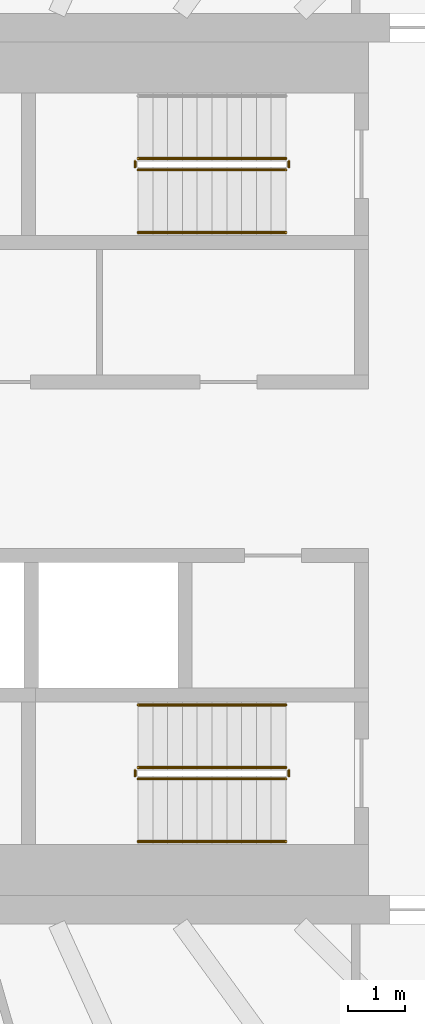
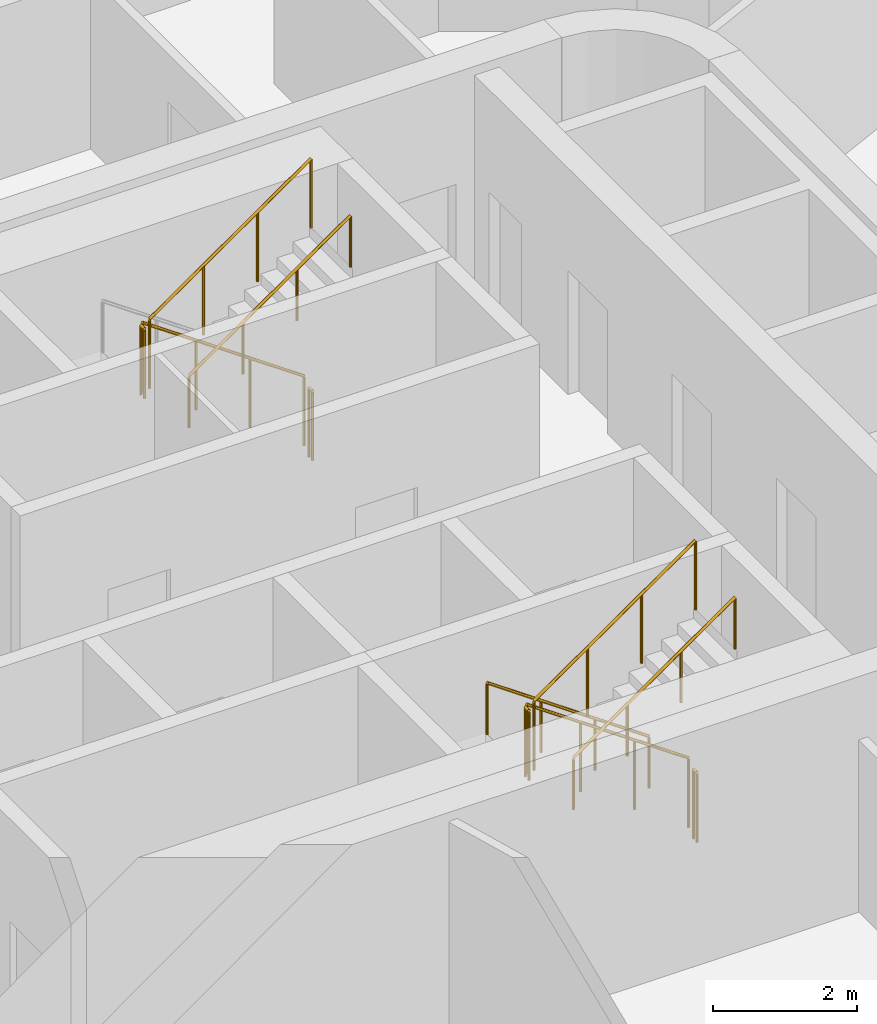
# One storey, part 22 of 25: 11 railings.
"""IFC4 building model written with IfcOpenShell, lengths in metres."""

from ifc_helpers import new_model, si_unit, direction, frame, origin, origin_2d, place, context, subcontext, project, spatial, circle, extrude, material, type_object, element, save


model = new_model("IFC4")

# Units and contexts
model_context = context("Model", 3, precision=1e-05, world=origin(), true_north=direction((0.0, 1.0)))
body_context = subcontext(model_context, "Body", "Model", "MODEL_VIEW")
ifc_project = project(units=[si_unit("LENGTHUNIT", "METRE"), si_unit("AREAUNIT", "SQUARE_METRE"), si_unit("VOLUMEUNIT", "CUBIC_METRE"), si_unit("PLANEANGLEUNIT", "RADIAN"), si_unit("MASSUNIT", "GRAM", prefix="KILO")], contexts=[model_context])

# Site, building, storey
site_placement = place(None, origin())
site = spatial("IfcSite", under=ifc_project, at=site_placement, CompositionType="ELEMENT")
building_placement = place(site_placement, origin())
building = spatial("IfcBuilding", under=site, at=building_placement, Name="Sahrelin Media Tower", CompositionType="ELEMENT")
storey_placement = place(building_placement, frame((0.0, 0.0, 181.60009765625)))
storey = spatial("IfcBuildingStorey", under=building, at=storey_placement, Name="L38", CompositionType="ELEMENT", Elevation=181.60009765625)

# Railings
ifc_material = material(Name="Steel S355", Category="steel")
railing_type_1 = type_object("IfcRailingType", Name="Stair guard 1200", PredefinedType="GUARDRAIL", material=ifc_material)
railing_1_placement = place(storey_placement, frame((7.675048828125, 5.449951171875, 0.181640625)))
element("IfcRailing", 1, at=railing_1_placement, inside=storey, type_object=railing_type_1, Name="L38 ST3 stair guard 1", PredefinedType="GUARDRAIL", context=body_context, shape_type="SweptSolid", body=[
    extrude(circle(Radius=0.02392578125, at=origin_2d()), frame((0.0, 0.0, 1.17578125), z_axis=(-0.819484887739, 0.0, 0.573100792852), x_axis=(0.0, -1.0, 0.0)), (0.0, 0.0, 1.0), 3.1728515625),
    extrude(circle(Radius=0.02099609375, at=origin_2d()), origin(), (0.0, 0.0, 1.0), 1.15185546875),
    extrude(circle(Radius=0.02099609375, at=origin_2d()), frame((-0.86669921875, 0.0, 0.606201171875)), (0.0, 0.0, 1.0), 1.15185546875),
    extrude(circle(Radius=0.02099609375, at=origin_2d()), frame((-1.7333984375, 0.0, 1.212158203125)), (0.0, 0.0, 1.0), 1.15185546875),
    extrude(circle(Radius=0.02099609375, at=origin_2d()), frame((-2.60009765625, 0.0, 1.818359375)), (0.0, 0.0, 1.0), 1.15185546875),
])
railing_2_placement = place(storey_placement, frame((5.02490234375, 5.39990234375, 2.0)))
element("IfcRailing", 2, at=railing_2_placement, inside=storey, type_object=railing_type_1, Name="L38 ST3 stair guard 2", PredefinedType="GUARDRAIL", context=body_context, shape_type="SweptSolid", body=[
    extrude(circle(Radius=0.02392578125, at=origin_2d()), frame((0.0, 0.0, 1.17578125), z_axis=(0.0, -1.0, 0.0), x_axis=(1.0, 0.0, 0.0)), (0.0, 0.0, 1.0), 0.099853515625),
    extrude(circle(Radius=0.02099609375, at=origin_2d()), origin(), (0.0, 0.0, 1.0), 1.15185546875),
    extrude(circle(Radius=0.02099609375, at=origin_2d()), frame((0.0, -0.099853515625, 0.0)), (0.0, 0.0, 1.0), 1.15185546875),
])
railing_3_placement = place(storey_placement, frame((5.074951171875, 5.25, 2.181640625)))
element("IfcRailing", 3, at=railing_3_placement, inside=storey, type_object=railing_type_1, Name="L38 ST3 stair guard 3", PredefinedType="GUARDRAIL", context=body_context, shape_type="SweptSolid", body=[
    extrude(circle(Radius=0.02392578125, at=origin_2d()), frame((0.0, 0.0, 1.17578125), z_axis=(0.819484887739, 0.0, 0.573100792852), x_axis=(0.0, 1.0, 0.0)), (0.0, 0.0, 1.0), 3.1728515625),
    extrude(circle(Radius=0.02099609375, at=origin_2d()), origin(), (0.0, 0.0, 1.0), 1.15185546875),
    extrude(circle(Radius=0.02099609375, at=origin_2d()), frame((0.86669921875, 0.0, 0.606201171875)), (0.0, 0.0, 1.0), 1.15185546875),
    extrude(circle(Radius=0.02099609375, at=origin_2d()), frame((1.7333984375, 0.0, 1.212158203125)), (0.0, 0.0, 1.0), 1.15185546875),
    extrude(circle(Radius=0.02099609375, at=origin_2d()), frame((2.60009765625, 0.0, 1.818359375)), (0.0, 0.0, 1.0), 1.15185546875),
])
railing_4_placement = place(storey_placement, frame((7.72509765625, 5.39990234375, 0.0)))
element("IfcRailing", 4, at=railing_4_placement, inside=storey, type_object=railing_type_1, Name="L38 ST3 stair guard 4", PredefinedType="GUARDRAIL", context=body_context, shape_type="SweptSolid", body=[
    extrude(circle(Radius=0.02392578125, at=origin_2d()), frame((0.0, 0.0, 1.17578125), z_axis=(0.0, -1.0, 0.0), x_axis=(1.0, 0.0, 0.0)), (0.0, 0.0, 1.0), 0.099853515625),
    extrude(circle(Radius=0.02099609375, at=origin_2d()), origin(), (0.0, 0.0, 1.0), 1.15185546875),
    extrude(circle(Radius=0.02099609375, at=origin_2d()), frame((0.0, -0.099853515625, 0.0)), (0.0, 0.0, 1.0), 1.15185546875),
])
railing_5_placement = place(storey_placement, frame((7.675048828125, -5.25, 0.181640625)))
element("IfcRailing", 5, at=railing_5_placement, inside=storey, type_object=railing_type_1, Name="L38 ST2 stair guard 1", PredefinedType="GUARDRAIL", context=body_context, shape_type="SweptSolid", body=[
    extrude(circle(Radius=0.02392578125, at=origin_2d()), frame((0.0, 0.0, 1.17578125), z_axis=(-0.819484887739, 0.0, 0.573100792852), x_axis=(0.0, -1.0, 0.0)), (0.0, 0.0, 1.0), 3.1728515625),
    extrude(circle(Radius=0.02099609375, at=origin_2d()), origin(), (0.0, 0.0, 1.0), 1.15185546875),
    extrude(circle(Radius=0.02099609375, at=origin_2d()), frame((-0.86669921875, 0.0, 0.606201171875)), (0.0, 0.0, 1.0), 1.15185546875),
    extrude(circle(Radius=0.02099609375, at=origin_2d()), frame((-1.7333984375, 0.0, 1.212158203125)), (0.0, 0.0, 1.0), 1.15185546875),
    extrude(circle(Radius=0.02099609375, at=origin_2d()), frame((-2.60009765625, 0.0, 1.818359375)), (0.0, 0.0, 1.0), 1.15185546875),
])
railing_6_placement = place(storey_placement, frame((5.02490234375, -5.300048828125, 2.0)))
element("IfcRailing", 6, at=railing_6_placement, inside=storey, type_object=railing_type_1, Name="L38 ST2 stair guard 2", PredefinedType="GUARDRAIL", context=body_context, shape_type="SweptSolid", body=[
    extrude(circle(Radius=0.02392578125, at=origin_2d()), frame((0.0, 0.0, 1.17578125), z_axis=(0.0, -1.0, 0.0), x_axis=(1.0, 0.0, 0.0)), (0.0, 0.0, 1.0), 0.099853515625),
    extrude(circle(Radius=0.02099609375, at=origin_2d()), origin(), (0.0, 0.0, 1.0), 1.15185546875),
    extrude(circle(Radius=0.02099609375, at=origin_2d()), frame((0.0, -0.099853515625, 0.0)), (0.0, 0.0, 1.0), 1.15185546875),
])
railing_7_placement = place(storey_placement, frame((5.074951171875, -5.449951171875, 2.181640625)))
element("IfcRailing", 7, at=railing_7_placement, inside=storey, type_object=railing_type_1, Name="L38 ST2 stair guard 3", PredefinedType="GUARDRAIL", context=body_context, shape_type="SweptSolid", body=[
    extrude(circle(Radius=0.02392578125, at=origin_2d()), frame((0.0, 0.0, 1.17578125), z_axis=(0.819484887739, 0.0, 0.573100792852), x_axis=(0.0, 1.0, 0.0)), (0.0, 0.0, 1.0), 3.1728515625),
    extrude(circle(Radius=0.02099609375, at=origin_2d()), origin(), (0.0, 0.0, 1.0), 1.15185546875),
    extrude(circle(Radius=0.02099609375, at=origin_2d()), frame((0.86669921875, 0.0, 0.606201171875)), (0.0, 0.0, 1.0), 1.15185546875),
    extrude(circle(Radius=0.02099609375, at=origin_2d()), frame((1.7333984375, 0.0, 1.212158203125)), (0.0, 0.0, 1.0), 1.15185546875),
    extrude(circle(Radius=0.02099609375, at=origin_2d()), frame((2.60009765625, 0.0, 1.818359375)), (0.0, 0.0, 1.0), 1.15185546875),
])
railing_8_placement = place(storey_placement, frame((7.72509765625, -5.300048828125, 0.0)))
element("IfcRailing", 8, at=railing_8_placement, inside=storey, type_object=railing_type_1, Name="L38 ST2 stair guard 4", PredefinedType="GUARDRAIL", context=body_context, shape_type="SweptSolid", body=[
    extrude(circle(Radius=0.02392578125, at=origin_2d()), frame((0.0, 0.0, 1.17578125), z_axis=(0.0, -1.0, 0.0), x_axis=(1.0, 0.0, 0.0)), (0.0, 0.0, 1.0), 0.099853515625),
    extrude(circle(Radius=0.02099609375, at=origin_2d()), origin(), (0.0, 0.0, 1.0), 1.15185546875),
    extrude(circle(Radius=0.02099609375, at=origin_2d()), frame((0.0, -0.099853515625, 0.0)), (0.0, 0.0, 1.0), 1.15185546875),
])
railing_type_2 = type_object("IfcRailingType", Name="Stair handrail 900", PredefinedType="HANDRAIL", material=ifc_material)
railing_9_placement = place(storey_placement, frame((5.074951171875, 4.14990234375, 2.181640625)))
element("IfcRailing", 9, at=railing_9_placement, inside=storey, type_object=railing_type_2, Name="L38 ST3 stair handrail 2", PredefinedType="HANDRAIL", context=body_context, shape_type="SweptSolid", body=[
    extrude(circle(Radius=0.02392578125, at=origin_2d()), frame((0.0, 0.0, 0.8759765625), z_axis=(0.819484887739, 0.0, 0.573100792852), x_axis=(0.0, 1.0, 0.0)), (0.0, 0.0, 1.0), 3.1728515625),
    extrude(circle(Radius=0.02099609375, at=origin_2d()), origin(), (0.0, 0.0, 1.0), 0.851806640625),
    extrude(circle(Radius=0.02099609375, at=origin_2d()), frame((0.86669921875, 0.0, 0.606201171875)), (0.0, 0.0, 1.0), 0.851806640625),
    extrude(circle(Radius=0.02099609375, at=origin_2d()), frame((1.7333984375, 0.0, 1.212158203125)), (0.0, 0.0, 1.0), 0.851806640625),
    extrude(circle(Radius=0.02099609375, at=origin_2d()), frame((2.60009765625, 0.0, 1.818359375)), (0.0, 0.0, 1.0), 0.851806640625),
])
railing_10_placement = place(storey_placement, frame((7.675048828125, -4.14990234375, 0.181640625)))
element("IfcRailing", 10, at=railing_10_placement, inside=storey, type_object=railing_type_2, Name="L38 ST2 stair handrail 1", PredefinedType="HANDRAIL", context=body_context, shape_type="SweptSolid", body=[
    extrude(circle(Radius=0.02392578125, at=origin_2d()), frame((0.0, 0.0, 0.8759765625), z_axis=(-0.819484887739, 0.0, 0.573100792852), x_axis=(0.0, -1.0, 0.0)), (0.0, 0.0, 1.0), 3.1728515625),
    extrude(circle(Radius=0.02099609375, at=origin_2d()), origin(), (0.0, 0.0, 1.0), 0.851806640625),
    extrude(circle(Radius=0.02099609375, at=origin_2d()), frame((-0.86669921875, 0.0, 0.606201171875)), (0.0, 0.0, 1.0), 0.851806640625),
    extrude(circle(Radius=0.02099609375, at=origin_2d()), frame((-1.7333984375, 0.0, 1.212158203125)), (0.0, 0.0, 1.0), 0.851806640625),
    extrude(circle(Radius=0.02099609375, at=origin_2d()), frame((-2.60009765625, 0.0, 1.818359375)), (0.0, 0.0, 1.0), 0.851806640625),
])
railing_11_placement = place(storey_placement, frame((5.074951171875, -6.550048828125, 2.181640625)))
element("IfcRailing", 11, at=railing_11_placement, inside=storey, type_object=railing_type_2, Name="L38 ST2 stair handrail 2", PredefinedType="HANDRAIL", context=body_context, shape_type="SweptSolid", body=[
    extrude(circle(Radius=0.02392578125, at=origin_2d()), frame((0.0, 0.0, 0.8759765625), z_axis=(0.819484887739, 0.0, 0.573100792852), x_axis=(0.0, 1.0, 0.0)), (0.0, 0.0, 1.0), 3.1728515625),
    extrude(circle(Radius=0.02099609375, at=origin_2d()), origin(), (0.0, 0.0, 1.0), 0.851806640625),
    extrude(circle(Radius=0.02099609375, at=origin_2d()), frame((0.86669921875, 0.0, 0.606201171875)), (0.0, 0.0, 1.0), 0.851806640625),
    extrude(circle(Radius=0.02099609375, at=origin_2d()), frame((1.7333984375, 0.0, 1.212158203125)), (0.0, 0.0, 1.0), 0.851806640625),
    extrude(circle(Radius=0.02099609375, at=origin_2d()), frame((2.60009765625, 0.0, 1.818359375)), (0.0, 0.0, 1.0), 0.851806640625),
])

save(model, "model.ifc")
